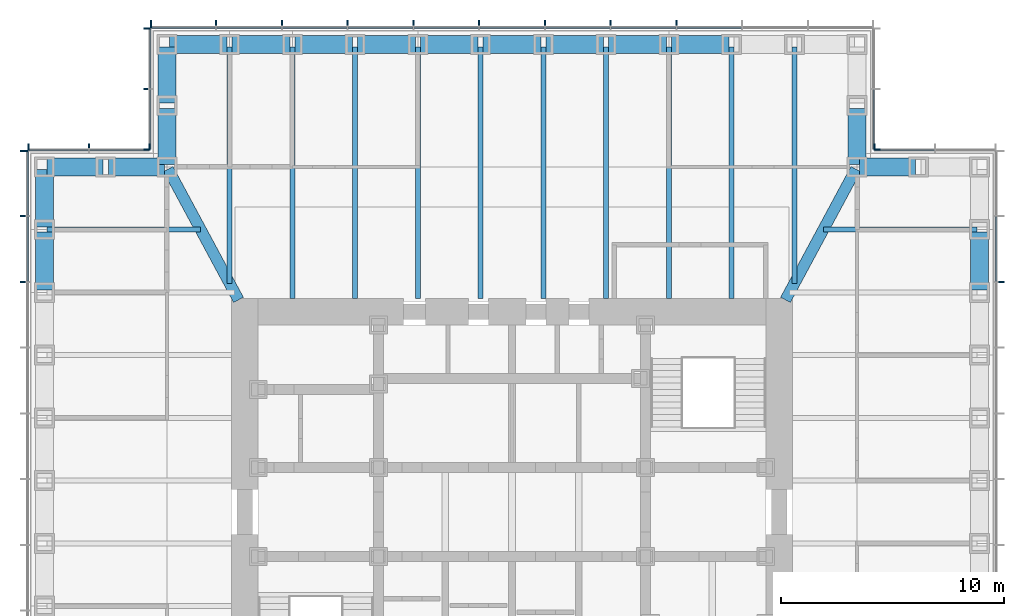
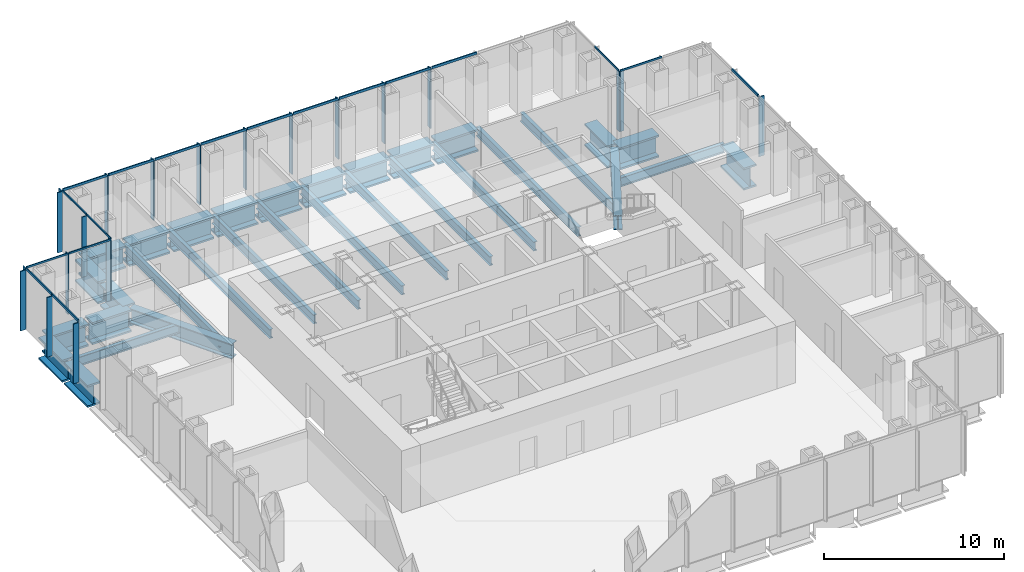
# One storey, part 5 of 16: 39 members, 32 beams, 7 elements without a shape of their own.
"""IFC4 building model written with IfcOpenShell, lengths in metres."""

from ifc_helpers import new_model, si_unit, direction, frame, origin, origin_2d, place, context, subcontext, project, spatial, rectangle, i_section, extrude, material, material_profile, profile_set, type_object, element, aggregate, save


model = new_model("IFC4")

# Units and contexts
model_context = context("Model", 3, precision=1e-05, world=origin(), true_north=direction((0.0, 1.0)))
body_context = subcontext(model_context, "Body", "Model", "MODEL_VIEW")
ifc_project = project(units=[si_unit("LENGTHUNIT", "METRE"), si_unit("AREAUNIT", "SQUARE_METRE"), si_unit("VOLUMEUNIT", "CUBIC_METRE"), si_unit("PLANEANGLEUNIT", "RADIAN"), si_unit("MASSUNIT", "GRAM", prefix="KILO")], contexts=[model_context])

# Site, building, storey
site_placement = place(None, origin())
site = spatial("IfcSite", under=ifc_project, at=site_placement, CompositionType="ELEMENT")
building_placement = place(site_placement, origin())
building = spatial("IfcBuilding", under=site, at=building_placement, Name="Daluyong Arena Tower", CompositionType="ELEMENT")
storey_placement = place(building_placement, frame((0.0, 0.0, 210.699951171875)))
storey = spatial("IfcBuildingStorey", under=building, at=storey_placement, Name="L47", CompositionType="ELEMENT", Elevation=210.699951171875)

# Curtain wall, member
ifc_material_1 = material(Name="Bronze anodised aluminium and glass", Category="aluminium")
curtain_wall_type_1 = type_object("IfcCurtainWallType", Name="Curtain wall CW3", PredefinedType="USERDEFINED", material=ifc_material_1)
curtain_wall_1_placement = place(storey_placement, origin())
curtain_wall_1 = element("IfcCurtainWall", 1, at=curtain_wall_1_placement, inside=storey, type_object=curtain_wall_type_1, Name="curtain wall L47 E", ObjectType="UNITISED CURTAIN WALL", PredefinedType="USERDEFINED")
ifc_material_2 = material(Name="Bronze anodised aluminium fin", Category="aluminium")
ifc_material_profile_1 = material_profile(ifc_material_2, rectangle(XDim=0.35009765625, YDim=0.070068359375, at=origin_2d()))
ifc_profile_set_1 = profile_set([ifc_material_profile_1], Name="Bronze anodised aluminium fin")
member_type_1 = type_object("IfcMemberType", Name="CW3 bronze fin 350x70", PredefinedType="MULLION", material=ifc_profile_set_1)
member_1_placement = place(storey_placement, frame((77.925048828125, 90.3408203125, 0.0), z_axis=(0.0, 0.0, 1.0), x_axis=(-1.0, 0.0, 0.0)))
member_1 = element("IfcMember", 2, at=member_1_placement, type_object=member_type_1, Name="curtain wall L47 E fin 10", PredefinedType="MULLION", context=body_context, shape_type="SweptSolid", body=[
    extrude(rectangle(XDim=0.35009765625, YDim=0.070068359375, at=origin_2d()), origin(), (0.0, 0.0, 1.0), 4.0400390625),
])

# Curtain wall, members
curtain_wall_2_placement = place(storey_placement, origin())
curtain_wall_2 = element("IfcCurtainWall", 3, at=curtain_wall_2_placement, inside=storey, type_object=curtain_wall_type_1, Name="curtain wall L47 N", ObjectType="UNITISED CURTAIN WALL", PredefinedType="USERDEFINED")
member_2_placement = place(storey_placement, frame((63.386474609375, 101.925048828125, 0.0), z_axis=(0.0, 0.0, 1.0), x_axis=(0.0, -1.0, 0.0)))
member_2 = element("IfcMember", 4, at=member_2_placement, type_object=member_type_1, Name="curtain wall L47 N fin 4", PredefinedType="MULLION", context=body_context, shape_type="SweptSolid", body=[
    extrude(rectangle(XDim=0.35009765625, YDim=0.070068359375, at=origin_2d()), origin(), (0.0, 0.0, 1.0), 4.0400390625),
])
member_3_placement = place(storey_placement, frame((60.431884765625, 101.925048828125, 0.0), z_axis=(0.0, 0.0, 1.0), x_axis=(0.0, -1.0, 0.0)))
member_3 = element("IfcMember", 5, at=member_3_placement, type_object=member_type_1, Name="curtain wall L47 N fin 5", PredefinedType="MULLION", context=body_context, shape_type="SweptSolid", body=[
    extrude(rectangle(XDim=0.35009765625, YDim=0.070068359375, at=origin_2d()), origin(), (0.0, 0.0, 1.0), 4.0400390625),
])
member_4_placement = place(storey_placement, frame((57.477294921875, 101.925048828125, 0.0), z_axis=(0.0, 0.0, 1.0), x_axis=(0.0, -1.0, 0.0)))
member_4 = element("IfcMember", 6, at=member_4_placement, type_object=member_type_1, Name="curtain wall L47 N fin 6", PredefinedType="MULLION", context=body_context, shape_type="SweptSolid", body=[
    extrude(rectangle(XDim=0.35009765625, YDim=0.070068359375, at=origin_2d()), origin(), (0.0, 0.0, 1.0), 4.0400390625),
])
member_5_placement = place(storey_placement, frame((54.522705078125, 101.925048828125, 0.0), z_axis=(0.0, 0.0, 1.0), x_axis=(0.0, -1.0, 0.0)))
member_5 = element("IfcMember", 7, at=member_5_placement, type_object=member_type_1, Name="curtain wall L47 N fin 7", PredefinedType="MULLION", context=body_context, shape_type="SweptSolid", body=[
    extrude(rectangle(XDim=0.35009765625, YDim=0.070068359375, at=origin_2d()), origin(), (0.0, 0.0, 1.0), 4.0400390625),
])
member_6_placement = place(storey_placement, frame((51.568115234375, 101.925048828125, 0.0), z_axis=(0.0, 0.0, 1.0), x_axis=(0.0, -1.0, 0.0)))
member_6 = element("IfcMember", 8, at=member_6_placement, type_object=member_type_1, Name="curtain wall L47 N fin 8", PredefinedType="MULLION", context=body_context, shape_type="SweptSolid", body=[
    extrude(rectangle(XDim=0.35009765625, YDim=0.070068359375, at=origin_2d()), origin(), (0.0, 0.0, 1.0), 4.0400390625),
])
member_7_placement = place(storey_placement, frame((48.613525390625, 101.925048828125, 0.0), z_axis=(0.0, 0.0, 1.0), x_axis=(0.0, -1.0, 0.0)))
member_7 = element("IfcMember", 9, at=member_7_placement, type_object=member_type_1, Name="curtain wall L47 N fin 9", PredefinedType="MULLION", context=body_context, shape_type="SweptSolid", body=[
    extrude(rectangle(XDim=0.35009765625, YDim=0.070068359375, at=origin_2d()), origin(), (0.0, 0.0, 1.0), 4.0400390625),
])
member_8_placement = place(storey_placement, frame((45.6591796875, 101.925048828125, 0.0), z_axis=(0.0, 0.0, 1.0), x_axis=(0.0, -1.0, 0.0)))
member_8 = element("IfcMember", 10, at=member_8_placement, type_object=member_type_1, Name="curtain wall L47 N fin 10", PredefinedType="MULLION", context=body_context, shape_type="SweptSolid", body=[
    extrude(rectangle(XDim=0.35009765625, YDim=0.070068359375, at=origin_2d()), origin(), (0.0, 0.0, 1.0), 4.0400390625),
])
member_9_placement = place(storey_placement, frame((42.70458984375, 101.925048828125, 0.0), z_axis=(0.0, 0.0, 1.0), x_axis=(0.0, -1.0, 0.0)))
member_9 = element("IfcMember", 11, at=member_9_placement, type_object=member_type_1, Name="curtain wall L47 N fin 11", PredefinedType="MULLION", context=body_context, shape_type="SweptSolid", body=[
    extrude(rectangle(XDim=0.35009765625, YDim=0.070068359375, at=origin_2d()), origin(), (0.0, 0.0, 1.0), 4.0400390625),
])
member_10_placement = place(storey_placement, frame((39.784912109375, 101.925048828125, 0.0), z_axis=(0.0, 0.0, 1.0), x_axis=(0.0, -1.0, 0.0)))
member_10 = element("IfcMember", 12, at=member_10_placement, type_object=member_type_1, Name="curtain wall L47 N fin 12", PredefinedType="MULLION", context=body_context, shape_type="SweptSolid", body=[
    extrude(rectangle(XDim=0.35009765625, YDim=0.070068359375, at=origin_2d()), origin(), (0.0, 0.0, 1.0), 4.0400390625),
])

curtain_wall_3_placement = place(storey_placement, origin())
curtain_wall_3 = element("IfcCurtainWall", 13, at=curtain_wall_3_placement, inside=storey, type_object=curtain_wall_type_1, Name="curtain wall L47 W", ObjectType="UNITISED CURTAIN WALL", PredefinedType="USERDEFINED")
member_11_placement = place(storey_placement, frame((34.074951171875, 96.215087890625, 0.0), z_axis=(0.0, 0.0, 1.0), x_axis=(1.0, 0.0, 0.0)))
member_11 = element("IfcMember", 14, at=member_11_placement, type_object=member_type_1, Name="curtain wall L47 W fin 1", PredefinedType="MULLION", context=body_context, shape_type="SweptSolid", body=[
    extrude(rectangle(XDim=0.35009765625, YDim=0.070068359375, at=origin_2d()), origin(), (0.0, 0.0, 1.0), 4.0400390625),
])
member_12_placement = place(storey_placement, frame((34.074951171875, 93.29541015625, 0.0), z_axis=(0.0, 0.0, 1.0), x_axis=(1.0, 0.0, 0.0)))
member_12 = element("IfcMember", 15, at=member_12_placement, type_object=member_type_1, Name="curtain wall L47 W fin 2", PredefinedType="MULLION", context=body_context, shape_type="SweptSolid", body=[
    extrude(rectangle(XDim=0.35009765625, YDim=0.070068359375, at=origin_2d()), origin(), (0.0, 0.0, 1.0), 4.0400390625),
])
member_13_placement = place(storey_placement, frame((34.074951171875, 90.3408203125, 0.0), z_axis=(0.0, 0.0, 1.0), x_axis=(1.0, 0.0, 0.0)))
member_13 = element("IfcMember", 16, at=member_13_placement, type_object=member_type_1, Name="curtain wall L47 W fin 3", PredefinedType="MULLION", context=body_context, shape_type="SweptSolid", body=[
    extrude(rectangle(XDim=0.35009765625, YDim=0.070068359375, at=origin_2d()), origin(), (0.0, 0.0, 1.0), 4.0400390625),
])

# Member
ifc_material_3 = material(Name="Bronze anodised aluminium", Category="aluminium")
ifc_material_profile_2 = material_profile(ifc_material_3, rectangle(XDim=0.070068359375, YDim=0.159912109375, at=origin_2d()))
ifc_profile_set_2 = profile_set([ifc_material_profile_2], Name="Bronze anodised aluminium")
member_type_2 = type_object("IfcMemberType", Name="CW3 stack transom 160x70", PredefinedType="USERDEFINED", material=ifc_profile_set_2)
member_14_placement = place(storey_placement, frame((77.75, 90.3759765625, 4.1201171875), z_axis=(0.0, 1.0, 0.0), x_axis=(-1.0, 0.0, 0.0)))
member_14 = element("IfcMember", 17, at=member_14_placement, type_object=member_type_2, Name="curtain wall L47 E transom 10", ObjectType="TRANSOM", PredefinedType="USERDEFINED", context=body_context, shape_type="SweptSolid", body=[
    extrude(rectangle(XDim=0.070068359375, YDim=0.159912109375, at=origin_2d()), origin(), (0.0, 0.0, 1.0), 2.884521484375),
])

aggregate(curtain_wall_1, [member_1, member_14])

member_15_placement = place(storey_placement, frame((66.305908203125, 101.75, 4.1201171875), z_axis=(-1.0, 0.0, 0.0), x_axis=(0.0, -1.0, 0.0)))
member_15 = element("IfcMember", 18, at=member_15_placement, type_object=member_type_2, Name="curtain wall L47 N transom 3", ObjectType="TRANSOM", PredefinedType="USERDEFINED", context=body_context, shape_type="SweptSolid", body=[
    extrude(rectangle(XDim=0.070068359375, YDim=0.159912109375, at=origin_2d()), origin(), (0.0, 0.0, 1.0), 2.884521484375),
])

member_16_placement = place(storey_placement, frame((63.351318359375, 101.75, 4.1201171875), z_axis=(-1.0, 0.0, 0.0), x_axis=(0.0, -1.0, 0.0)))
member_16 = element("IfcMember", 19, at=member_16_placement, type_object=member_type_2, Name="curtain wall L47 N transom 4", ObjectType="TRANSOM", PredefinedType="USERDEFINED", context=body_context, shape_type="SweptSolid", body=[
    extrude(rectangle(XDim=0.070068359375, YDim=0.159912109375, at=origin_2d()), origin(), (0.0, 0.0, 1.0), 2.884521484375),
])

member_17_placement = place(storey_placement, frame((60.396728515625, 101.75, 4.1201171875), z_axis=(-1.0, 0.0, 0.0), x_axis=(0.0, -1.0, 0.0)))
member_17 = element("IfcMember", 20, at=member_17_placement, type_object=member_type_2, Name="curtain wall L47 N transom 5", ObjectType="TRANSOM", PredefinedType="USERDEFINED", context=body_context, shape_type="SweptSolid", body=[
    extrude(rectangle(XDim=0.070068359375, YDim=0.159912109375, at=origin_2d()), origin(), (0.0, 0.0, 1.0), 2.884521484375),
])

member_18_placement = place(storey_placement, frame((57.4423828125, 101.75, 4.1201171875), z_axis=(-1.0, 0.0, 0.0), x_axis=(0.0, -1.0, 0.0)))
member_18 = element("IfcMember", 21, at=member_18_placement, type_object=member_type_2, Name="curtain wall L47 N transom 6", ObjectType="TRANSOM", PredefinedType="USERDEFINED", context=body_context, shape_type="SweptSolid", body=[
    extrude(rectangle(XDim=0.070068359375, YDim=0.159912109375, at=origin_2d()), origin(), (0.0, 0.0, 1.0), 2.884765625),
])

member_19_placement = place(storey_placement, frame((54.48779296875, 101.75, 4.1201171875), z_axis=(-1.0, 0.0, 0.0), x_axis=(0.0, -1.0, 0.0)))
member_19 = element("IfcMember", 22, at=member_19_placement, type_object=member_type_2, Name="curtain wall L47 N transom 7", ObjectType="TRANSOM", PredefinedType="USERDEFINED", context=body_context, shape_type="SweptSolid", body=[
    extrude(rectangle(XDim=0.070068359375, YDim=0.159912109375, at=origin_2d()), origin(), (0.0, 0.0, 1.0), 2.884521484375),
])

member_20_placement = place(storey_placement, frame((51.533203125, 101.75, 4.1201171875), z_axis=(-1.0, 0.0, 0.0), x_axis=(0.0, -1.0, 0.0)))
member_20 = element("IfcMember", 23, at=member_20_placement, type_object=member_type_2, Name="curtain wall L47 N transom 8", ObjectType="TRANSOM", PredefinedType="USERDEFINED", context=body_context, shape_type="SweptSolid", body=[
    extrude(rectangle(XDim=0.070068359375, YDim=0.159912109375, at=origin_2d()), origin(), (0.0, 0.0, 1.0), 2.884521484375),
])

member_21_placement = place(storey_placement, frame((48.57861328125, 101.75, 4.1201171875), z_axis=(-1.0, 0.0, 0.0), x_axis=(0.0, -1.0, 0.0)))
member_21 = element("IfcMember", 24, at=member_21_placement, type_object=member_type_2, Name="curtain wall L47 N transom 9", ObjectType="TRANSOM", PredefinedType="USERDEFINED", context=body_context, shape_type="SweptSolid", body=[
    extrude(rectangle(XDim=0.070068359375, YDim=0.159912109375, at=origin_2d()), origin(), (0.0, 0.0, 1.0), 2.884521484375),
])

member_22_placement = place(storey_placement, frame((45.6240234375, 101.75, 4.1201171875), z_axis=(-1.0, 0.0, 0.0), x_axis=(0.0, -1.0, 0.0)))
member_22 = element("IfcMember", 25, at=member_22_placement, type_object=member_type_2, Name="curtain wall L47 N transom 10", ObjectType="TRANSOM", PredefinedType="USERDEFINED", context=body_context, shape_type="SweptSolid", body=[
    extrude(rectangle(XDim=0.070068359375, YDim=0.159912109375, at=origin_2d()), origin(), (0.0, 0.0, 1.0), 2.884521484375),
])

member_23_placement = place(storey_placement, frame((42.66943359375, 101.75, 4.1201171875), z_axis=(-1.0, 0.0, 0.0), x_axis=(0.0, -1.0, 0.0)))
member_23 = element("IfcMember", 26, at=member_23_placement, type_object=member_type_2, Name="curtain wall L47 N transom 11", ObjectType="TRANSOM", PredefinedType="USERDEFINED", context=body_context, shape_type="SweptSolid", body=[
    extrude(rectangle(XDim=0.070068359375, YDim=0.159912109375, at=origin_2d()), origin(), (0.0, 0.0, 1.0), 2.849365234375),
])

aggregate(curtain_wall_2, [member_2, member_3, member_4, member_5, member_6, member_7, member_8, member_9, member_10, member_15, member_16, member_17, member_18, member_19, member_20, member_21, member_22, member_23])

member_24_placement = place(storey_placement, frame((34.25, 96.179931640625, 4.1201171875), z_axis=(0.0, -1.0, 0.0), x_axis=(1.0, 0.0, 0.0)))
member_24 = element("IfcMember", 27, at=member_24_placement, type_object=member_type_2, Name="curtain wall L47 W transom 1", ObjectType="TRANSOM", PredefinedType="USERDEFINED", context=body_context, shape_type="SweptSolid", body=[
    extrude(rectangle(XDim=0.070068359375, YDim=0.159912109375, at=origin_2d()), origin(), (0.0, 0.0, 1.0), 2.849365234375),
])

member_25_placement = place(storey_placement, frame((34.25, 93.260498046875, 4.1201171875), z_axis=(0.0, -1.0, 0.0), x_axis=(1.0, 0.0, 0.0)))
member_25 = element("IfcMember", 28, at=member_25_placement, type_object=member_type_2, Name="curtain wall L47 W transom 2", ObjectType="TRANSOM", PredefinedType="USERDEFINED", context=body_context, shape_type="SweptSolid", body=[
    extrude(rectangle(XDim=0.070068359375, YDim=0.159912109375, at=origin_2d()), origin(), (0.0, 0.0, 1.0), 2.884521484375),
])

aggregate(curtain_wall_3, [member_11, member_12, member_13, member_24, member_25])

# Curtain wall, member
ifc_material_4 = material(Name="Bronze anodised aluminium and glass", Category="aluminium")
curtain_wall_type_2 = type_object("IfcCurtainWallType", Name="Curtain wall CW7", PredefinedType="USERDEFINED", material=ifc_material_4)
curtain_wall_4_placement = place(storey_placement, origin())
curtain_wall_4 = element("IfcCurtainWall", 29, at=curtain_wall_4_placement, inside=storey, type_object=curtain_wall_type_2, Name="curtain wall L47 NE-N", ObjectType="UNITISED CURTAIN WALL", PredefinedType="USERDEFINED")
ifc_material_5 = material(Name="Bronze anodised aluminium fin", Category="aluminium")
ifc_material_profile_3 = material_profile(ifc_material_5, rectangle(XDim=0.300048828125, YDim=0.06005859375, at=origin_2d()))
ifc_profile_set_3 = profile_set([ifc_material_profile_3], Name="Bronze anodised aluminium fin")
member_type_3 = type_object("IfcMemberType", Name="CW7 bronze fin 300x60", PredefinedType="MULLION", material=ifc_profile_set_3)
member_26_placement = place(storey_placement, frame((72.280029296875, 96.39990234375, 0.0), z_axis=(0.0, 0.0, 1.0), x_axis=(0.0, -1.0, 0.0)))
member_26 = element("IfcMember", 30, at=member_26_placement, type_object=member_type_3, Name="curtain wall L47 NE-N fin 3", PredefinedType="MULLION", context=body_context, shape_type="SweptSolid", body=[
    extrude(rectangle(XDim=0.300048828125, YDim=0.06005859375, at=origin_2d()), origin(), (0.0, 0.0, 1.0), 4.080078125),
])

curtain_wall_5_placement = place(storey_placement, origin())
curtain_wall_5 = element("IfcCurtainWall", 31, at=curtain_wall_5_placement, inside=storey, type_object=curtain_wall_type_2, Name="curtain wall L47 NE-E", ObjectType="UNITISED CURTAIN WALL", PredefinedType="USERDEFINED")
member_27_placement = place(storey_placement, frame((72.39990234375, 96.280029296875, 0.0), z_axis=(0.0, 0.0, 1.0), x_axis=(-1.0, 0.0, 0.0)))
member_27 = element("IfcMember", 32, at=member_27_placement, type_object=member_type_3, Name="curtain wall L47 NE-E fin 1", PredefinedType="MULLION", context=body_context, shape_type="SweptSolid", body=[
    extrude(rectangle(XDim=0.300048828125, YDim=0.06005859375, at=origin_2d()), origin(), (0.0, 0.0, 1.0), 4.080078125),
])

# Curtain wall, members
curtain_wall_6_placement = place(storey_placement, origin())
curtain_wall_6 = element("IfcCurtainWall", 33, at=curtain_wall_6_placement, inside=storey, type_object=curtain_wall_type_2, Name="curtain wall L47 NW-W", ObjectType="UNITISED CURTAIN WALL", PredefinedType="USERDEFINED")
member_28_placement = place(storey_placement, frame((39.60009765625, 101.719970703125, 0.0), z_axis=(0.0, 0.0, 1.0), x_axis=(1.0, 0.0, 0.0)))
member_28 = element("IfcMember", 34, at=member_28_placement, type_object=member_type_3, Name="curtain wall L47 NW-W fin 1", PredefinedType="MULLION", context=body_context, shape_type="SweptSolid", body=[
    extrude(rectangle(XDim=0.300048828125, YDim=0.06005859375, at=origin_2d()), origin(), (0.0, 0.0, 1.0), 4.080078125),
])
member_29_placement = place(storey_placement, frame((39.60009765625, 99.0, 0.0), z_axis=(0.0, 0.0, 1.0), x_axis=(1.0, 0.0, 0.0)))
member_29 = element("IfcMember", 35, at=member_29_placement, type_object=member_type_3, Name="curtain wall L47 NW-W fin 2", PredefinedType="MULLION", context=body_context, shape_type="SweptSolid", body=[
    extrude(rectangle(XDim=0.300048828125, YDim=0.06005859375, at=origin_2d()), origin(), (0.0, 0.0, 1.0), 4.080078125),
])
member_30_placement = place(storey_placement, frame((39.60009765625, 96.280029296875, 0.0), z_axis=(0.0, 0.0, 1.0), x_axis=(1.0, 0.0, 0.0)))
member_30 = element("IfcMember", 36, at=member_30_placement, type_object=member_type_3, Name="curtain wall L47 NW-W fin 3", PredefinedType="MULLION", context=body_context, shape_type="SweptSolid", body=[
    extrude(rectangle(XDim=0.300048828125, YDim=0.06005859375, at=origin_2d()), origin(), (0.0, 0.0, 1.0), 4.080078125),
])

curtain_wall_7_placement = place(storey_placement, origin())
curtain_wall_7 = element("IfcCurtainWall", 37, at=curtain_wall_7_placement, inside=storey, type_object=curtain_wall_type_2, Name="curtain wall L47 NW-N", ObjectType="UNITISED CURTAIN WALL", PredefinedType="USERDEFINED")
member_31_placement = place(storey_placement, frame((39.719970703125, 96.39990234375, 0.0), z_axis=(0.0, 0.0, 1.0), x_axis=(0.0, -1.0, 0.0)))
member_31 = element("IfcMember", 38, at=member_31_placement, type_object=member_type_3, Name="curtain wall L47 NW-N fin 1", PredefinedType="MULLION", context=body_context, shape_type="SweptSolid", body=[
    extrude(rectangle(XDim=0.300048828125, YDim=0.06005859375, at=origin_2d()), origin(), (0.0, 0.0, 1.0), 4.080078125),
])
member_32_placement = place(storey_placement, frame((37.0, 96.39990234375, 0.0), z_axis=(0.0, 0.0, 1.0), x_axis=(0.0, -1.0, 0.0)))
member_32 = element("IfcMember", 39, at=member_32_placement, type_object=member_type_3, Name="curtain wall L47 NW-N fin 2", PredefinedType="MULLION", context=body_context, shape_type="SweptSolid", body=[
    extrude(rectangle(XDim=0.300048828125, YDim=0.06005859375, at=origin_2d()), origin(), (0.0, 0.0, 1.0), 4.080078125),
])
member_33_placement = place(storey_placement, frame((34.280029296875, 96.39990234375, 0.0), z_axis=(0.0, 0.0, 1.0), x_axis=(0.0, -1.0, 0.0)))
member_33 = element("IfcMember", 40, at=member_33_placement, type_object=member_type_3, Name="curtain wall L47 NW-N fin 3", PredefinedType="MULLION", context=body_context, shape_type="SweptSolid", body=[
    extrude(rectangle(XDim=0.300048828125, YDim=0.06005859375, at=origin_2d()), origin(), (0.0, 0.0, 1.0), 4.080078125),
])

# Member
ifc_material_6 = material(Name="Bronze anodised aluminium", Category="aluminium")
ifc_material_profile_4 = material_profile(ifc_material_6, rectangle(XDim=0.06005859375, YDim=0.1201171875, at=origin_2d()))
ifc_profile_set_4 = profile_set([ifc_material_profile_4], Name="Bronze anodised aluminium")
member_type_4 = type_object("IfcMemberType", Name="CW7 stack transom 120x60", PredefinedType="USERDEFINED", material=ifc_profile_set_4)
member_34_placement = place(storey_placement, frame((74.969970703125, 96.25, 4.14013671875), z_axis=(-1.0, 0.0, 0.0), x_axis=(0.0, -1.0, 0.0)))
member_34 = element("IfcMember", 41, at=member_34_placement, type_object=member_type_4, Name="curtain wall L47 NE-N transom 2", ObjectType="TRANSOM", PredefinedType="USERDEFINED", context=body_context, shape_type="SweptSolid", body=[
    extrude(rectangle(XDim=0.06005859375, YDim=0.1201171875, at=origin_2d()), origin(), (0.0, 0.0, 1.0), 2.659912109375),
])

aggregate(curtain_wall_4, [member_26, member_34])

member_35_placement = place(storey_placement, frame((72.25, 96.31005859375, 4.14013671875), z_axis=(0.0, 1.0, 0.0), x_axis=(-1.0, 0.0, 0.0)))
member_35 = element("IfcMember", 42, at=member_35_placement, type_object=member_type_4, Name="curtain wall L47 NE-E transom 1", ObjectType="TRANSOM", PredefinedType="USERDEFINED", context=body_context, shape_type="SweptSolid", body=[
    extrude(rectangle(XDim=0.06005859375, YDim=0.1201171875, at=origin_2d()), origin(), (0.0, 0.0, 1.0), 2.659912109375),
])

aggregate(curtain_wall_5, [member_27, member_35])

member_36_placement = place(storey_placement, frame((39.75, 101.68994140625, 4.14013671875), z_axis=(0.0, -1.0, 0.0), x_axis=(1.0, 0.0, 0.0)))
member_36 = element("IfcMember", 43, at=member_36_placement, type_object=member_type_4, Name="curtain wall L47 NW-W transom 1", ObjectType="TRANSOM", PredefinedType="USERDEFINED", context=body_context, shape_type="SweptSolid", body=[
    extrude(rectangle(XDim=0.06005859375, YDim=0.1201171875, at=origin_2d()), origin(), (0.0, 0.0, 1.0), 2.659912109375),
])

member_37_placement = place(storey_placement, frame((39.75, 98.969970703125, 4.14013671875), z_axis=(0.0, -1.0, 0.0), x_axis=(1.0, 0.0, 0.0)))
member_37 = element("IfcMember", 44, at=member_37_placement, type_object=member_type_4, Name="curtain wall L47 NW-W transom 2", ObjectType="TRANSOM", PredefinedType="USERDEFINED", context=body_context, shape_type="SweptSolid", body=[
    extrude(rectangle(XDim=0.06005859375, YDim=0.1201171875, at=origin_2d()), origin(), (0.0, 0.0, 1.0), 2.659912109375),
])

aggregate(curtain_wall_6, [member_28, member_29, member_30, member_36, member_37])

member_38_placement = place(storey_placement, frame((39.68994140625, 96.25, 4.14013671875), z_axis=(-1.0, 0.0, 0.0), x_axis=(0.0, -1.0, 0.0)))
member_38 = element("IfcMember", 45, at=member_38_placement, type_object=member_type_4, Name="curtain wall L47 NW-N transom 1", ObjectType="TRANSOM", PredefinedType="USERDEFINED", context=body_context, shape_type="SweptSolid", body=[
    extrude(rectangle(XDim=0.06005859375, YDim=0.1201171875, at=origin_2d()), origin(), (0.0, 0.0, 1.0), 2.659912109375),
])

member_39_placement = place(storey_placement, frame((36.969970703125, 96.25, 4.14013671875), z_axis=(-1.0, 0.0, 0.0), x_axis=(0.0, -1.0, 0.0)))
member_39 = element("IfcMember", 46, at=member_39_placement, type_object=member_type_4, Name="curtain wall L47 NW-N transom 2", ObjectType="TRANSOM", PredefinedType="USERDEFINED", context=body_context, shape_type="SweptSolid", body=[
    extrude(rectangle(XDim=0.06005859375, YDim=0.1201171875, at=origin_2d()), origin(), (0.0, 0.0, 1.0), 2.659912109375),
])

aggregate(curtain_wall_7, [member_31, member_32, member_33, member_38, member_39])

# Beams
ifc_material_7 = material(Name="Steel ASTM A572 Grade 50", Category="steel")
ifc_material_profile_5 = material_profile(ifc_material_7, i_section(OverallWidth=0.5, OverallDepth=1.0, WebThickness=0.03, FlangeThickness=0.06, at=origin_2d()))
ifc_profile_set_5 = profile_set([ifc_material_profile_5], Name="Steel ASTM A572 Grade 50")
beam_type_1 = type_object("IfcBeamType", Name="Corner girder TB1000X500", PredefinedType="BEAM", material=ifc_profile_set_5)
for number, where, z_axis, x_axis, name in (
    (47, (71.445556640625, 95.398681640625, -0.659912109375), (-0.474119475266, -0.880460517669, 0.0), (0.880460517669, -0.474119475266, 0.0), "corner girder DG2"),
    (48, (40.554443359375, 95.398681640625, -0.659912109375), (0.474119475266, -0.880460517669, 0.0), (0.880460517669, 0.474119475266, 0.0), "corner girder DG2"),
):
    element("IfcBeam", number, at=place(storey_placement, frame(where, z_axis=z_axis, x_axis=x_axis)), inside=storey, type_object=beam_type_1, Name=name, PredefinedType="BEAM", context=body_context, shape_type="SweptSolid", body=[
        extrude(i_section(OverallWidth=0.5, OverallDepth=1.0, WebThickness=0.03, FlangeThickness=0.06, at=origin_2d()), origin(), (0.0, 0.0, 1.0), 6.66748046875),
    ])
ifc_material_8 = material(Name="Steel ASTM A992 Grade 50", Category="steel")
ifc_material_profile_6 = material_profile(ifc_material_8, i_section(OverallWidth=0.22900390625, OverallDepth=0.612060546875, WebThickness=0.011962890625, FlangeThickness=0.01953125, at=origin_2d()))
ifc_profile_set_6 = profile_set([ifc_material_profile_6], Name="Steel ASTM A992 Grade 50")
beam_type_2 = type_object("IfcBeamType", Name="Floor beam W24X84", PredefinedType="BEAM", material=ifc_profile_set_6)
beam_1_placement = place(storey_placement, frame((76.885009765625, 92.681884765625, -0.466064453125), z_axis=(-1.0, 0.0, 0.0), x_axis=(0.0, -1.0, 0.0)))
element("IfcBeam", 49, at=beam_1_placement, inside=storey, type_object=beam_type_2, Name="floor beam FB3", PredefinedType="BEAM", context=body_context, shape_type="SweptSolid", body=[
    extrude(i_section(OverallWidth=0.22900390625, OverallDepth=0.612060546875, WebThickness=0.011962890625, FlangeThickness=0.01953125, at=origin_2d()), origin(), (0.0, 0.0, 1.0), 6.902587890625),
])
beam_2_placement = place(storey_placement, frame((68.681884765625, 100.885009765625, -0.466064453125), z_axis=(0.0, -1.0, 0.0), x_axis=(1.0, 0.0, 0.0)))
element("IfcBeam", 50, at=beam_2_placement, inside=storey, type_object=beam_type_2, Name="floor beam FB3", PredefinedType="BEAM", context=body_context, shape_type="SweptSolid", body=[
    extrude(i_section(OverallWidth=0.22900390625, OverallDepth=0.612060546875, WebThickness=0.011962890625, FlangeThickness=0.01953125, at=origin_2d()), origin(), (0.0, 0.0, 1.0), 10.618896484375),
])
for number, where, z_axis, x_axis, name in (
    (51, (65.863525390625, 100.885009765625, -0.466064453125), (0.0, -1.0, 0.0), (1.0, 0.0, 0.0), "floor beam FB3"),
    (52, (63.04541015625, 100.885009765625, -0.466064453125), (0.0, -1.0, 0.0), (1.0, 0.0, 0.0), "floor beam FB3"),
    (53, (60.227294921875, 100.885009765625, -0.466064453125), (0.0, -1.0, 0.0), (1.0, 0.0, 0.0), "floor beam FB3"),
    (54, (57.4091796875, 100.885009765625, -0.466064453125), (0.0, -1.0, 0.0), (1.0, 0.0, 0.0), "floor beam FB3"),
    (55, (54.5908203125, 100.885009765625, -0.466064453125), (0.0, -1.0, 0.0), (1.0, 0.0, 0.0), "floor beam FB3"),
    (56, (51.772705078125, 100.885009765625, -0.466064453125), (0.0, -1.0, 0.0), (1.0, 0.0, 0.0), "floor beam FB3"),
    (57, (48.95458984375, 100.885009765625, -0.466064453125), (0.0, -1.0, 0.0), (1.0, 0.0, 0.0), "floor beam FB3"),
    (58, (46.136474609375, 100.885009765625, -0.466064453125), (0.0, -1.0, 0.0), (1.0, 0.0, 0.0), "floor beam FB3"),
):
    element("IfcBeam", number, at=place(storey_placement, frame(where, z_axis=z_axis, x_axis=x_axis)), inside=storey, type_object=beam_type_2, Name=name, PredefinedType="BEAM", context=body_context, shape_type="SweptSolid", body=[
        extrude(i_section(OverallWidth=0.22900390625, OverallDepth=0.612060546875, WebThickness=0.011962890625, FlangeThickness=0.01953125, at=origin_2d()), origin(), (0.0, 0.0, 1.0), 11.284912109375),
    ])
beam_3_placement = place(storey_placement, frame((43.318115234375, 100.885009765625, -0.466064453125), z_axis=(0.0, -1.0, 0.0), x_axis=(1.0, 0.0, 0.0)))
element("IfcBeam", 59, at=beam_3_placement, inside=storey, type_object=beam_type_2, Name="floor beam FB3", PredefinedType="BEAM", context=body_context, shape_type="SweptSolid", body=[
    extrude(i_section(OverallWidth=0.22900390625, OverallDepth=0.612060546875, WebThickness=0.011962890625, FlangeThickness=0.01953125, at=origin_2d()), origin(), (0.0, 0.0, 1.0), 10.618896484375),
])
beam_4_placement = place(storey_placement, frame((35.114990234375, 92.681884765625, -0.466064453125), z_axis=(1.0, 0.0, 0.0), x_axis=(0.0, 1.0, 0.0)))
element("IfcBeam", 60, at=beam_4_placement, inside=storey, type_object=beam_type_2, Name="floor beam FB3", PredefinedType="BEAM", context=body_context, shape_type="SweptSolid", body=[
    extrude(i_section(OverallWidth=0.22900390625, OverallDepth=0.612060546875, WebThickness=0.011962890625, FlangeThickness=0.01953125, at=origin_2d()), origin(), (0.0, 0.0, 1.0), 6.902587890625),
])
ifc_material_9 = material(Name="Steel ASTM A588 Grade 50", Category="steel")
ifc_material_profile_7 = material_profile(ifc_material_9, i_section(OverallWidth=0.800048828125, OverallDepth=1.5, WebThickness=0.05, FlangeThickness=0.12, at=origin_2d()))
ifc_profile_set_7 = profile_set([ifc_material_profile_7], Name="Steel ASTM A588 Grade 50")
beam_type_3 = type_object("IfcBeamType", Name="Spandrel Z3 PG1500X800", PredefinedType="SPANDREL", material=ifc_profile_set_7)
beam_5_placement = place(storey_placement, frame((77.0, 89.978515625, -0.909912109375), z_axis=(0.0, 1.0, 0.0), x_axis=(-1.0, 0.0, 0.0)))
element("IfcBeam", 61, at=beam_5_placement, inside=storey, type_object=beam_type_3, Name="spandrel z3 SB7", PredefinedType="SPANDREL", context=body_context, shape_type="SweptSolid", body=[
    extrude(i_section(OverallWidth=0.800048828125, OverallDepth=1.5, WebThickness=0.05, FlangeThickness=0.12, at=origin_2d()), origin(), (0.0, 0.0, 1.0), 2.58837890625),
])
for number, where, z_axis, x_axis, name in (
    (62, (74.135009765625, 95.5, -0.909912109375), (-1.0, 0.0, 0.0), (0.0, -1.0, 0.0), "spandrel z3 SB7"),
    (63, (71.5, 95.614990234375, -0.909912109375), (0.0, 1.0, 0.0), (-1.0, 0.0, 0.0), "spandrel z3 SB7"),
):
    element("IfcBeam", number, at=place(storey_placement, frame(where, z_axis=z_axis, x_axis=x_axis)), inside=storey, type_object=beam_type_3, Name=name, PredefinedType="SPANDREL", context=body_context, shape_type="SweptSolid", body=[
        extrude(i_section(OverallWidth=0.800048828125, OverallDepth=1.5, WebThickness=0.05, FlangeThickness=0.12, at=origin_2d()), origin(), (0.0, 0.0, 1.0), 2.52001953125),
    ])
for number, where, z_axis, x_axis, name in (
    (64, (65.74853515625, 101.0, -0.909912109375), (-1.0, 0.0, 0.0), (0.0, -1.0, 0.0), "spandrel z3 SB7"),
    (65, (62.930419921875, 101.0, -0.909912109375), (-1.0, 0.0, 0.0), (0.0, -1.0, 0.0), "spandrel z3 SB7"),
    (66, (60.1123046875, 101.0, -0.909912109375), (-1.0, 0.0, 0.0), (0.0, -1.0, 0.0), "spandrel z3 SB7"),
):
    element("IfcBeam", number, at=place(storey_placement, frame(where, z_axis=z_axis, x_axis=x_axis)), inside=storey, type_object=beam_type_3, Name=name, PredefinedType="SPANDREL", context=body_context, shape_type="SweptSolid", body=[
        extrude(i_section(OverallWidth=0.800048828125, OverallDepth=1.5, WebThickness=0.05, FlangeThickness=0.12, at=origin_2d()), origin(), (0.0, 0.0, 1.0), 2.588134765625),
    ])
beam_6_placement = place(storey_placement, frame((57.294189453125, 101.0, -0.909912109375), z_axis=(-1.0, 0.0, 0.0), x_axis=(0.0, -1.0, 0.0)))
element("IfcBeam", 67, at=beam_6_placement, inside=storey, type_object=beam_type_3, Name="spandrel z3 SB7", PredefinedType="SPANDREL", context=body_context, shape_type="SweptSolid", body=[
    extrude(i_section(OverallWidth=0.800048828125, OverallDepth=1.5, WebThickness=0.05, FlangeThickness=0.12, at=origin_2d()), origin(), (0.0, 0.0, 1.0), 2.58837890625),
])
for number, where, z_axis, x_axis, name in (
    (68, (54.475830078125, 101.0, -0.909912109375), (-1.0, 0.0, 0.0), (0.0, -1.0, 0.0), "spandrel z3 SB7"),
    (69, (51.65771484375, 101.0, -0.909912109375), (-1.0, 0.0, 0.0), (0.0, -1.0, 0.0), "spandrel z3 SB7"),
    (70, (48.839599609375, 101.0, -0.909912109375), (-1.0, 0.0, 0.0), (0.0, -1.0, 0.0), "spandrel z3 SB7"),
):
    element("IfcBeam", number, at=place(storey_placement, frame(where, z_axis=z_axis, x_axis=x_axis)), inside=storey, type_object=beam_type_3, Name=name, PredefinedType="SPANDREL", context=body_context, shape_type="SweptSolid", body=[
        extrude(i_section(OverallWidth=0.800048828125, OverallDepth=1.5, WebThickness=0.05, FlangeThickness=0.12, at=origin_2d()), origin(), (0.0, 0.0, 1.0), 2.588134765625),
    ])
beam_7_placement = place(storey_placement, frame((46.021484375, 101.0, -0.909912109375), z_axis=(-1.0, 0.0, 0.0), x_axis=(0.0, -1.0, 0.0)))
element("IfcBeam", 71, at=beam_7_placement, inside=storey, type_object=beam_type_3, Name="spandrel z3 SB7", PredefinedType="SPANDREL", context=body_context, shape_type="SweptSolid", body=[
    extrude(i_section(OverallWidth=0.800048828125, OverallDepth=1.5, WebThickness=0.05, FlangeThickness=0.12, at=origin_2d()), origin(), (0.0, 0.0, 1.0), 2.58837890625),
])
beam_8_placement = place(storey_placement, frame((43.203125, 101.0, -0.909912109375), z_axis=(-1.0, 0.0, 0.0), x_axis=(0.0, -1.0, 0.0)))
element("IfcBeam", 72, at=beam_8_placement, inside=storey, type_object=beam_type_3, Name="spandrel z3 SB7", PredefinedType="SPANDREL", context=body_context, shape_type="SweptSolid", body=[
    extrude(i_section(OverallWidth=0.800048828125, OverallDepth=1.5, WebThickness=0.05, FlangeThickness=0.12, at=origin_2d()), origin(), (0.0, 0.0, 1.0), 2.588134765625),
])
for number, where, z_axis, x_axis, name in (
    (73, (40.5, 100.885009765625, -0.909912109375), (0.0, -1.0, 0.0), (1.0, 0.0, 0.0), "spandrel z3 SB7"),
    (74, (40.5, 98.135009765625, -0.909912109375), (0.0, -1.0, 0.0), (1.0, 0.0, 0.0), "spandrel z3 SB7"),
    (75, (40.385009765625, 95.5, -0.909912109375), (-1.0, 0.0, 0.0), (0.0, -1.0, 0.0), "spandrel z3 SB7"),
    (76, (37.635009765625, 95.5, -0.909912109375), (-1.0, 0.0, 0.0), (0.0, -1.0, 0.0), "spandrel z3 SB7"),
):
    element("IfcBeam", number, at=place(storey_placement, frame(where, z_axis=z_axis, x_axis=x_axis)), inside=storey, type_object=beam_type_3, Name=name, PredefinedType="SPANDREL", context=body_context, shape_type="SweptSolid", body=[
        extrude(i_section(OverallWidth=0.800048828125, OverallDepth=1.5, WebThickness=0.05, FlangeThickness=0.12, at=origin_2d()), origin(), (0.0, 0.0, 1.0), 2.52001953125),
    ])
beam_9_placement = place(storey_placement, frame((35.0, 95.385009765625, -0.909912109375), z_axis=(0.0, -1.0, 0.0), x_axis=(1.0, 0.0, 0.0)))
element("IfcBeam", 77, at=beam_9_placement, inside=storey, type_object=beam_type_3, Name="spandrel z3 SB7", PredefinedType="SPANDREL", context=body_context, shape_type="SweptSolid", body=[
    extrude(i_section(OverallWidth=0.800048828125, OverallDepth=1.5, WebThickness=0.05, FlangeThickness=0.12, at=origin_2d()), origin(), (0.0, 0.0, 1.0), 2.588134765625),
])
beam_10_placement = place(storey_placement, frame((35.0, 92.56689453125, -0.909912109375), z_axis=(0.0, -1.0, 0.0), x_axis=(1.0, 0.0, 0.0)))
element("IfcBeam", 78, at=beam_10_placement, inside=storey, type_object=beam_type_3, Name="spandrel z3 SB7", PredefinedType="SPANDREL", context=body_context, shape_type="SweptSolid", body=[
    extrude(i_section(OverallWidth=0.800048828125, OverallDepth=1.5, WebThickness=0.05, FlangeThickness=0.12, at=origin_2d()), origin(), (0.0, 0.0, 1.0), 2.58837890625),
])

save(model, "model.ifc")
